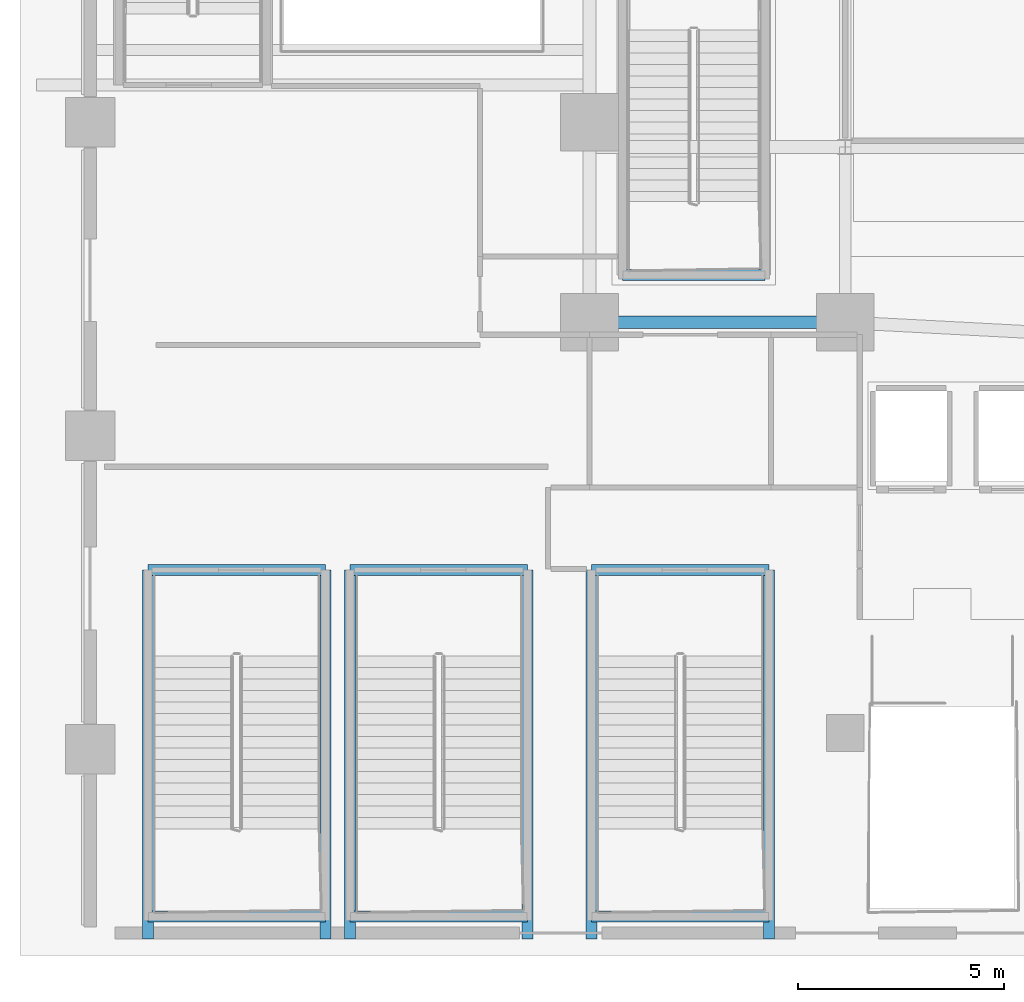
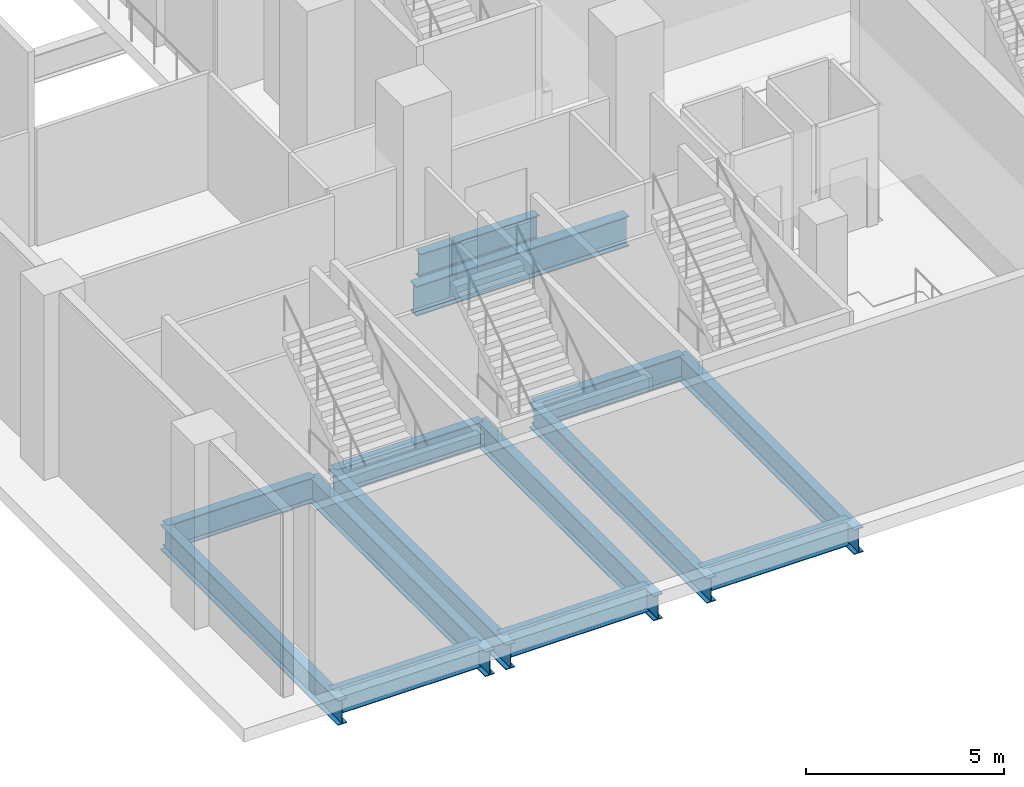
# One storey, part 5 of 36: 14 beams.
"""IFC4 building model written with IfcOpenShell, lengths in metres."""

from ifc_helpers import new_model, si_unit, direction, frame, origin, origin_2d, place, context, subcontext, project, spatial, i_section, extrude, material, material_profile, profile_set, type_object, element, save


model = new_model("IFC4")

# Units and contexts
model_context = context("Model", 3, precision=1e-05, world=origin(), true_north=direction((0.0, 1.0)))
body_context = subcontext(model_context, "Body", "Model", "MODEL_VIEW")
ifc_project = project(units=[si_unit("LENGTHUNIT", "METRE"), si_unit("AREAUNIT", "SQUARE_METRE"), si_unit("VOLUMEUNIT", "CUBIC_METRE"), si_unit("PLANEANGLEUNIT", "RADIAN"), si_unit("MASSUNIT", "GRAM", prefix="KILO")], contexts=[model_context])

# Site, building, storey
site_placement = place(None, origin())
site = spatial("IfcSite", under=ifc_project, at=site_placement, CompositionType="ELEMENT")
building_placement = place(site_placement, origin())
building = spatial("IfcBuilding", under=site, at=building_placement, Name="Ndaravel Arena Tower", CompositionType="ELEMENT")
storey_placement = place(building_placement, origin())
storey = spatial("IfcBuildingStorey", under=building, at=storey_placement, Name="L00", CompositionType="ELEMENT", Elevation=0.0)

# Beams
ifc_material_1 = material(Name="Steel S355", Category="steel")
ifc_material_profile_1 = material_profile(ifc_material_1, i_section(OverallWidth=0.26806640625, OverallDepth=0.769775390625, WebThickness=0.015625, FlangeThickness=0.025390625, FilletRadius=0.0166015625, at=origin_2d()), Name="UB 762x267x197")
ifc_profile_set_1 = profile_set([ifc_material_profile_1], Name="Steel S355")
beam_type_1 = type_object("IfcBeamType", Name="BM-POD-UB762", PredefinedType="BEAM", material=ifc_profile_set_1)
for number, where, z_axis, x_axis, name in (
    (1, (3.10009765625, 0.39990234375, -0.784912109375), (0.0, 1.0, 0.0), (-1.0, 0.0, 0.0), "L00 Stair ST-A01 Tie Beam 1"),
    (2, (7.39990234375, 0.39990234375, -0.784912109375), (0.0, 1.0, 0.0), (-1.0, 0.0, 0.0), "L00 Stair ST-A01 Tie Beam 2"),
):
    element("IfcBeam", number, at=place(storey_placement, frame(where, z_axis=z_axis, x_axis=x_axis)), inside=storey, type_object=beam_type_1, Name=name, PredefinedType="BEAM", context=body_context, shape_type="SweptSolid", body=[
        extrude(i_section(OverallWidth=0.26806640625, OverallDepth=0.769775390625, WebThickness=0.015625, FlangeThickness=0.025390625, FilletRadius=0.0166015625, at=origin_2d()), origin(), (0.0, 0.0, 1.0), 8.9501953125),
    ])
for number, where, z_axis, x_axis, name in (
    (3, (3.10009765625, 0.949951171875, -0.784912109375), (1.0, 0.0, 0.0), (0.0, 1.0, 0.0), "L00 Stair ST-A01 South Carrier Girder"),
    (4, (3.10009765625, 9.35009765625, -0.784912109375), (1.0, 0.0, 0.0), (0.0, 1.0, 0.0), "L00 Stair ST-A01 North Carrier Girder"),
):
    element("IfcBeam", number, at=place(storey_placement, frame(where, z_axis=z_axis, x_axis=x_axis)), inside=storey, type_object=beam_type_1, Name=name, PredefinedType="BEAM", context=body_context, shape_type="SweptSolid", body=[
        extrude(i_section(OverallWidth=0.26806640625, OverallDepth=0.769775390625, WebThickness=0.015625, FlangeThickness=0.025390625, FilletRadius=0.0166015625, at=origin_2d()), origin(), (0.0, 0.0, 1.0), 4.2998046875),
    ])
for number, where, z_axis, x_axis, name in (
    (5, (8.0, 0.39990234375, -0.784912109375), (0.0, 1.0, 0.0), (-1.0, 0.0, 0.0), "L00 Stair ST-A02 Tie Beam 1"),
    (6, (12.300048828125, 0.39990234375, -0.784912109375), (0.0, 1.0, 0.0), (-1.0, 0.0, 0.0), "L00 Stair ST-A02 Tie Beam 2"),
):
    element("IfcBeam", number, at=place(storey_placement, frame(where, z_axis=z_axis, x_axis=x_axis)), inside=storey, type_object=beam_type_1, Name=name, PredefinedType="BEAM", context=body_context, shape_type="SweptSolid", body=[
        extrude(i_section(OverallWidth=0.26806640625, OverallDepth=0.769775390625, WebThickness=0.015625, FlangeThickness=0.025390625, FilletRadius=0.0166015625, at=origin_2d()), origin(), (0.0, 0.0, 1.0), 8.9501953125),
    ])
for number, where, z_axis, x_axis, name in (
    (7, (8.0, 0.949951171875, -0.784912109375), (1.0, 0.0, 0.0), (0.0, 1.0, 0.0), "L00 Stair ST-A02 South Carrier Girder"),
    (8, (8.0, 9.35009765625, -0.784912109375), (1.0, 0.0, 0.0), (0.0, 1.0, 0.0), "L00 Stair ST-A02 North Carrier Girder"),
):
    element("IfcBeam", number, at=place(storey_placement, frame(where, z_axis=z_axis, x_axis=x_axis)), inside=storey, type_object=beam_type_1, Name=name, PredefinedType="BEAM", context=body_context, shape_type="SweptSolid", body=[
        extrude(i_section(OverallWidth=0.26806640625, OverallDepth=0.769775390625, WebThickness=0.015625, FlangeThickness=0.025390625, FilletRadius=0.0166015625, at=origin_2d()), origin(), (0.0, 0.0, 1.0), 4.300048828125),
    ])
for number, where, z_axis, x_axis, name in (
    (9, (13.85009765625, 0.39990234375, -0.784912109375), (0.0, 1.0, 0.0), (-1.0, 0.0, 0.0), "L00 Stair ST-A03 Tie Beam 1"),
    (10, (18.14990234375, 0.39990234375, -0.784912109375), (0.0, 1.0, 0.0), (-1.0, 0.0, 0.0), "L00 Stair ST-A03 Tie Beam 2"),
):
    element("IfcBeam", number, at=place(storey_placement, frame(where, z_axis=z_axis, x_axis=x_axis)), inside=storey, type_object=beam_type_1, Name=name, PredefinedType="BEAM", context=body_context, shape_type="SweptSolid", body=[
        extrude(i_section(OverallWidth=0.26806640625, OverallDepth=0.769775390625, WebThickness=0.015625, FlangeThickness=0.025390625, FilletRadius=0.0166015625, at=origin_2d()), origin(), (0.0, 0.0, 1.0), 8.9501953125),
    ])
for number, where, z_axis, x_axis, name in (
    (11, (13.85009765625, 0.949951171875, -0.784912109375), (1.0, 0.0, 0.0), (0.0, 1.0, 0.0), "L00 Stair ST-A03 South Carrier Girder"),
    (12, (13.85009765625, 9.35009765625, -0.784912109375), (1.0, 0.0, 0.0), (0.0, 1.0, 0.0), "L00 Stair ST-A03 North Carrier Girder"),
):
    element("IfcBeam", number, at=place(storey_placement, frame(where, z_axis=z_axis, x_axis=x_axis)), inside=storey, type_object=beam_type_1, Name=name, PredefinedType="BEAM", context=body_context, shape_type="SweptSolid", body=[
        extrude(i_section(OverallWidth=0.26806640625, OverallDepth=0.769775390625, WebThickness=0.015625, FlangeThickness=0.025390625, FilletRadius=0.0166015625, at=origin_2d()), origin(), (0.0, 0.0, 1.0), 4.2998046875),
    ])
beam_1_placement = place(storey_placement, frame((14.60009765625, 16.5, -0.784912109375), z_axis=(1.0, 0.0, 0.0), x_axis=(0.0, 1.0, 0.0)))
element("IfcBeam", 13, at=beam_1_placement, inside=storey, type_object=beam_type_1, Name="L00 Stair ST-VOM-1 Vomitory End Beam 1", PredefinedType="BEAM", context=body_context, shape_type="SweptSolid", body=[
    extrude(i_section(OverallWidth=0.26806640625, OverallDepth=0.769775390625, WebThickness=0.015625, FlangeThickness=0.025390625, FilletRadius=0.0166015625, at=origin_2d()), origin(), (0.0, 0.0, 1.0), 3.4599609375),
])
ifc_material_2 = material(Name="Steel S355", Category="steel")
ifc_material_profile_2 = material_profile(ifc_material_2, i_section(OverallWidth=0.3076171875, OverallDepth=0.926513671875, WebThickness=0.01953125, FlangeThickness=0.031982421875, FilletRadius=0.01904296875, at=origin_2d()), Name="UB 914x305x289")
ifc_profile_set_2 = profile_set([ifc_material_profile_2], Name="Steel S355")
beam_type_2 = type_object("IfcBeamType", Name="BM-POD-UB914B", PredefinedType="BEAM", material=ifc_profile_set_2)
beam_2_placement = place(storey_placement, frame((13.800048828125, 15.35009765625, -0.86328125), z_axis=(1.0, 0.0, 0.0), x_axis=(0.0, 1.0, 0.0)))
element("IfcBeam", 14, at=beam_2_placement, inside=storey, type_object=beam_type_2, Name="L00 Arena Ring Girder 17", PredefinedType="BEAM", context=body_context, shape_type="SweptSolid", body=[
    extrude(i_section(OverallWidth=0.3076171875, OverallDepth=0.926513671875, WebThickness=0.01953125, FlangeThickness=0.031982421875, FilletRadius=0.01904296875, at=origin_2d()), origin(), (0.0, 0.0, 1.0), 6.199951171875),
])

save(model, "model.ifc")
